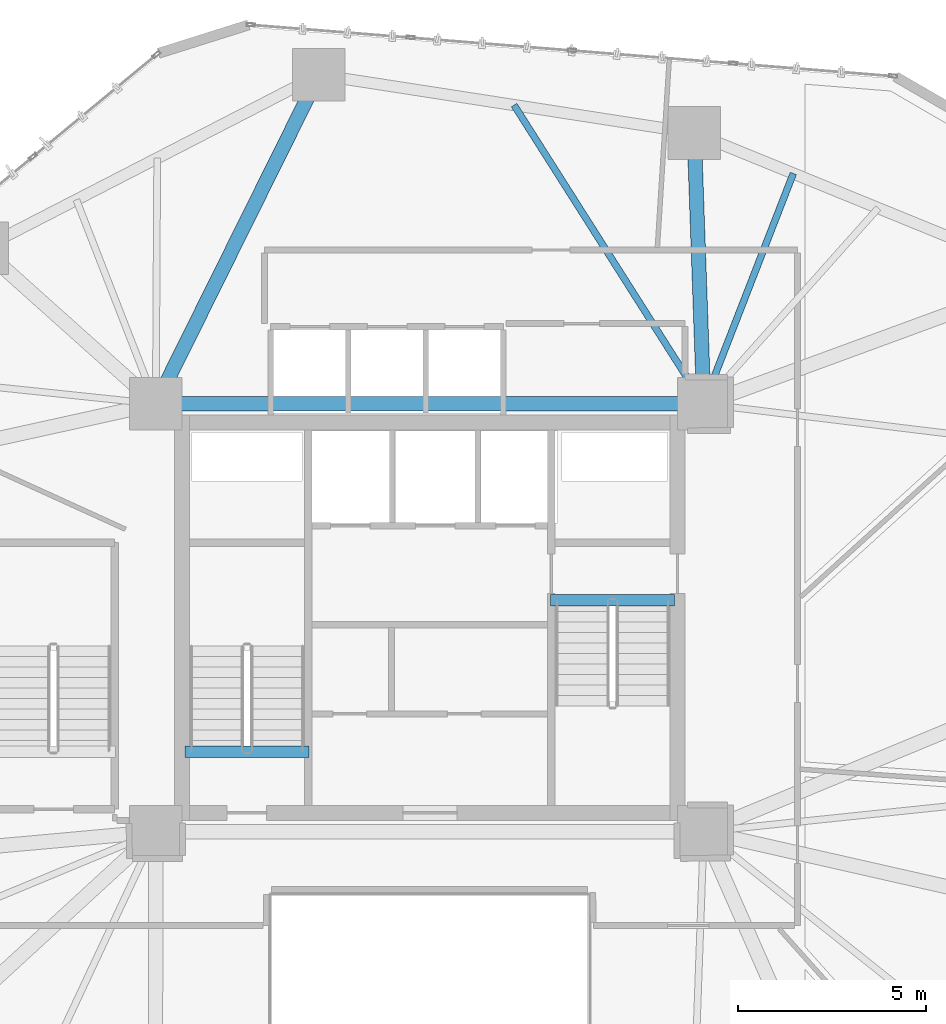
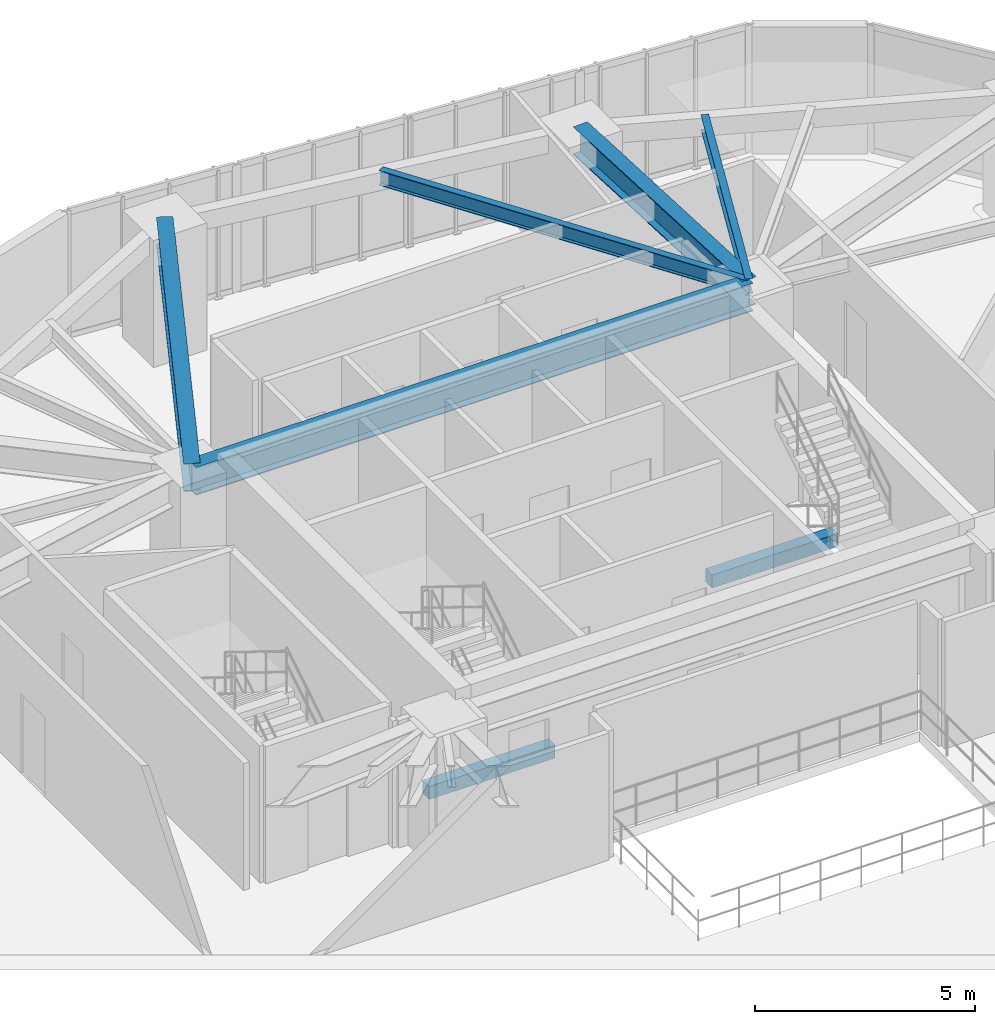
# One storey, part 9 of 23: 7 beams.
"""IFC4 building model written with IfcOpenShell, lengths in metres."""

from ifc_helpers import new_model, si_unit, direction, frame, origin, origin_2d, place, context, subcontext, project, spatial, rectangle, i_section, extrude, material, material_profile, profile_set, type_object, element, save


model = new_model("IFC4")

# Units and contexts
model_context = context("Model", 3, precision=1e-05, world=origin(), true_north=direction((0.0, 1.0)))
body_context = subcontext(model_context, "Body", "Model", "MODEL_VIEW")
ifc_project = project(units=[si_unit("LENGTHUNIT", "METRE"), si_unit("AREAUNIT", "SQUARE_METRE"), si_unit("VOLUMEUNIT", "CUBIC_METRE"), si_unit("PLANEANGLEUNIT", "RADIAN"), si_unit("MASSUNIT", "GRAM", prefix="KILO")], contexts=[model_context])

# Site, building, storey
site_placement = place(None, origin())
site = spatial("IfcSite", under=ifc_project, at=site_placement, CompositionType="ELEMENT")
building_placement = place(site_placement, origin())
building = spatial("IfcBuilding", under=site, at=building_placement, Name="Talar Marvaseh", CompositionType="ELEMENT")
storey_placement = place(building_placement, frame((0.0, 0.0, 77.199951171875)))
storey = spatial("IfcBuildingStorey", under=building, at=storey_placement, Name="L19", CompositionType="ELEMENT", Elevation=77.199951171875)

# Beams
ifc_material_1 = material(Name="Concrete C40/50", Category="concrete")
ifc_material_profile_1 = material_profile(ifc_material_1, rectangle(XDim=0.300048828125, YDim=0.360107421875, at=origin_2d()), Name="RC300x360")
ifc_profile_set_1 = profile_set([ifc_material_profile_1], Name="Concrete C40/50")
beam_type_1 = type_object("IfcBeamType", Name="Concrete Stair Landing Trimmer Beam RC300x360", PredefinedType="SPANDREL", material=ifc_profile_set_1)
for number, where, z_axis, x_axis, name in (
    (1, (22.780029296875, 27.6298828125, -0.179931640625), (-1.0, 0.0, 0.0), (0.0, -1.0, 0.0), "L19 ST-1 Stair Nosing Trimmer Beam"),
    (2, (29.219970703125, 31.669921875, -0.179931640625), (1.0, 0.0, 0.0), (0.0, 1.0, 0.0), "L19 ST-2 Stair Nosing Trimmer Beam"),
):
    element("IfcBeam", number, at=place(storey_placement, frame(where, z_axis=z_axis, x_axis=x_axis)), inside=storey, type_object=beam_type_1, Name=name, PredefinedType="SPANDREL", context=body_context, shape_type="SweptSolid", body=[
        extrude(rectangle(XDim=0.300048828125, YDim=0.360107421875, at=origin_2d()), origin(), (0.0, 0.0, 1.0), 3.300048828125),
    ])
ifc_material_2 = material(Name="Steel S355", Category="steel")
ifc_material_profile_2 = material_profile(ifc_material_2, i_section(OverallWidth=0.381103515625, OverallDepth=0.77294921875, WebThickness=0.0166015625, FlangeThickness=0.027099609375, at=origin_2d()), Name="W760x257")
ifc_profile_set_2 = profile_set([ifc_material_profile_2], Name="Steel S355")
beam_type_2 = type_object("IfcBeamType", Name="Zone 1 Radial Floor Girder W760x257", PredefinedType="BEAM", material=ifc_profile_set_2)
beam_1_placement = place(storey_placement, frame((18.699951171875, 36.89990234375, 3.133544921875), z_axis=(1.0, 0.0, 0.0), x_axis=(0.0, 1.0, 0.0)))
element("IfcBeam", 3, at=beam_1_placement, inside=storey, type_object=beam_type_2, Name="L19 Zone 1 Radial Floor Girder W760x257", PredefinedType="BEAM", context=body_context, shape_type="SweptSolid", body=[
    extrude(i_section(OverallWidth=0.381103515625, OverallDepth=0.77294921875, WebThickness=0.0166015625, FlangeThickness=0.027099609375, at=origin_2d()), origin(), (0.0, 0.0, 1.0), 14.60009765625),
])
beam_2_placement = place(storey_placement, frame((23.047119140625, 45.6669921875, 3.133544921875), z_axis=(-0.444237233911, -0.895909191831, 0.0), x_axis=(0.895909191831, -0.444237233911, 0.0)))
element("IfcBeam", 4, at=beam_2_placement, inside=storey, type_object=beam_type_2, Name="L19 Zone 1 Radial Floor Girder W760x257", PredefinedType="BEAM", context=body_context, shape_type="SweptSolid", body=[
    extrude(i_section(OverallWidth=0.381103515625, OverallDepth=0.77294921875, WebThickness=0.0166015625, FlangeThickness=0.027099609375, at=origin_2d()), origin(), (0.0, 0.0, 1.0), 9.78564453125),
])
beam_3_placement = place(storey_placement, frame((33.0458984375, 44.117919921875, 3.133544921875), z_axis=(0.03518874657, -0.999380684281, 0.0), x_axis=(0.999380684281, 0.03518874657, 0.0)))
element("IfcBeam", 5, at=beam_3_placement, inside=storey, type_object=beam_type_2, Name="L19 Zone 1 Radial Floor Girder W760x257", PredefinedType="BEAM", context=body_context, shape_type="SweptSolid", body=[
    extrude(i_section(OverallWidth=0.381103515625, OverallDepth=0.77294921875, WebThickness=0.0166015625, FlangeThickness=0.027099609375, at=origin_2d()), origin(), (0.0, 0.0, 1.0), 7.222412109375),
])
ifc_material_profile_3 = material_profile(ifc_material_2, i_section(OverallWidth=0.179931640625, OverallDepth=0.4130859375, WebThickness=0.009765625, FlangeThickness=0.01611328125, at=origin_2d()), Name="W410x75")
ifc_profile_set_3 = profile_set([ifc_material_profile_3], Name="Steel S355")
beam_type_3 = type_object("IfcBeamType", Name="Zone 1 Secondary Floor Joist W410x75", PredefinedType="JOIST", material=ifc_profile_set_3)
beam_4_placement = place(storey_placement, frame((28.24658203125, 44.861572265625, 3.3134765625), z_axis=(0.53589010079, -0.844287747083, 0.0), x_axis=(0.844287747083, 0.53589010079, 0.0)))
element("IfcBeam", 6, at=beam_4_placement, inside=storey, type_object=beam_type_3, Name="L19 Zone 1 Secondary Floor Joist W410x75", PredefinedType="JOIST", context=body_context, shape_type="SweptSolid", body=[
    extrude(i_section(OverallWidth=0.179931640625, OverallDepth=0.4130859375, WebThickness=0.009765625, FlangeThickness=0.01611328125, at=origin_2d()), origin(), (0.0, 0.0, 1.0), 9.429931640625),
])
beam_5_placement = place(storey_placement, frame((35.686767578125, 43.040283203125, 3.3134765625), z_axis=(-0.362287091686, -0.932066555133, 0.0), x_axis=(0.932066555133, -0.362287091686, 0.0)))
element("IfcBeam", 7, at=beam_5_placement, inside=storey, type_object=beam_type_3, Name="L19 Zone 1 Secondary Floor Joist W410x75", PredefinedType="JOIST", context=body_context, shape_type="SweptSolid", body=[
    extrude(i_section(OverallWidth=0.179931640625, OverallDepth=0.4130859375, WebThickness=0.009765625, FlangeThickness=0.01611328125, at=origin_2d()), origin(), (0.0, 0.0, 1.0), 6.587890625),
])

save(model, "model.ifc")
